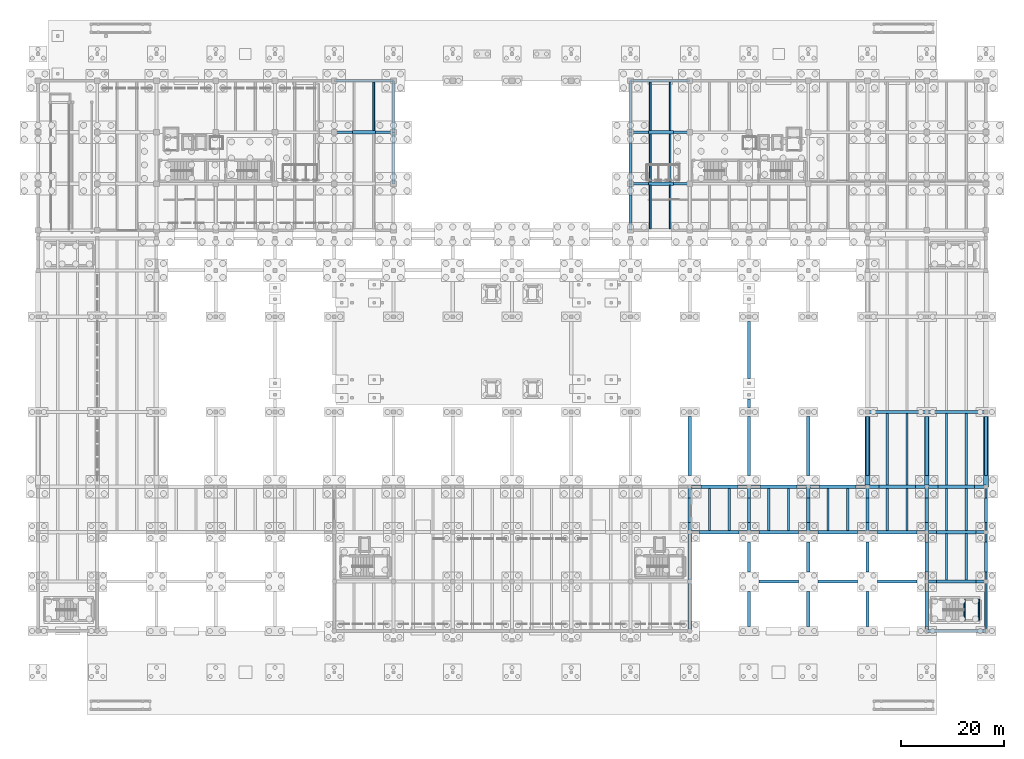
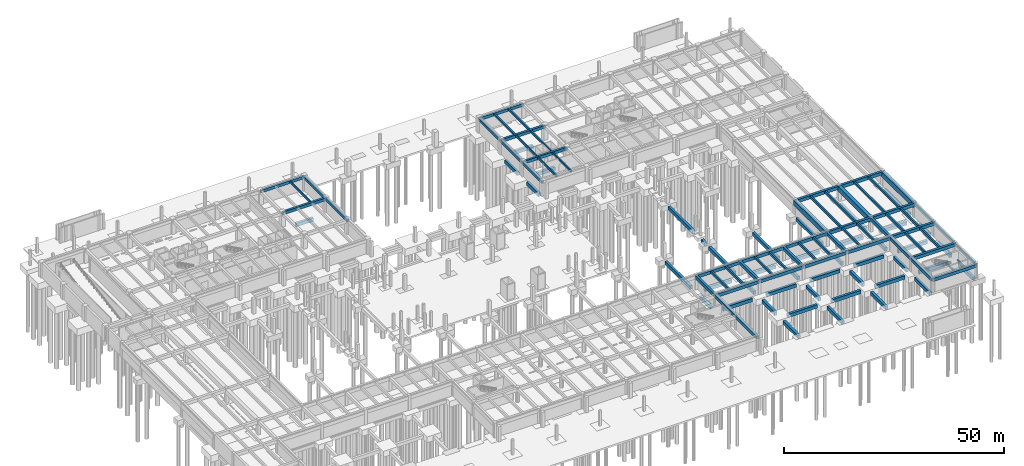
# One storey, part 14 of 28: 107 beams.
"""IFC4 building model written with IfcOpenShell, lengths in metres."""

from ifc_helpers import new_model, si_unit, direction, frame, origin, origin_2d, place, context, subcontext, project, spatial, rectangle, extrude, material, material_profile, profile_set, type_object, element, save


model = new_model("IFC4")

# Units and contexts
model_context = context("Model", 3, precision=1e-05, world=origin(), true_north=direction((0.0, 1.0)))
body_context = subcontext(model_context, "Body", "Model", "MODEL_VIEW")
ifc_project = project(units=[si_unit("LENGTHUNIT", "METRE"), si_unit("AREAUNIT", "SQUARE_METRE"), si_unit("VOLUMEUNIT", "CUBIC_METRE"), si_unit("PLANEANGLEUNIT", "RADIAN"), si_unit("MASSUNIT", "GRAM", prefix="KILO")], contexts=[model_context])

# Site, building, storey
site_placement = place(None, origin())
site = spatial("IfcSite", under=ifc_project, at=site_placement, CompositionType="ELEMENT")
building_placement = place(site_placement, origin())
building = spatial("IfcBuilding", under=site, at=building_placement, Name="Ologun Quay Terminus", CompositionType="ELEMENT")
storey_placement = place(building_placement, frame((0.0, 0.0, -8.39990234375)))
storey = spatial("IfcBuildingStorey", under=building, at=storey_placement, Name="B02", CompositionType="ELEMENT", Elevation=-8.39990234375)

# Beams
ifc_material_1 = material(Name="Concrete C40/50", Category="concrete")
ifc_material_profile_1 = material_profile(ifc_material_1, rectangle(XDim=0.300048828125, YDim=0.449951171875, at=origin_2d()), Name="RC 300x450")
ifc_profile_set_1 = profile_set([ifc_material_profile_1], Name="Concrete C40/50")
beam_type_1 = type_object("IfcBeamType", Name="Core Coupling Lintel Beam 300x450", PredefinedType="LINTEL", material=ifc_profile_set_1)
for number, where, z_axis, x_axis, name in (
    (1, (179.7900390625, 10.080078125, 1.69482421875), (0.0, 1.0, 0.0), (-1.0, 0.0, 0.0), "LN1 Half-Landing Ledger Beam ST-S2-W B02"),
    (2, (182.610107421875, 10.080078125, 1.69482421875), (0.0, 1.0, 0.0), (-1.0, 0.0, 0.0), "LN1 Half-Landing Ledger Beam ST-S2-E B02"),
):
    element("IfcBeam", number, at=place(storey_placement, frame(where, z_axis=z_axis, x_axis=x_axis)), inside=storey, type_object=beam_type_1, Name=name, PredefinedType="LINTEL", context=body_context, shape_type="SweptSolid", body=[
        extrude(rectangle(XDim=0.300048828125, YDim=0.449951171875, at=origin_2d()), origin(), (0.0, 0.0, 1.0), 4.0400390625),
    ])
ifc_material_2 = material(Name="Concrete C40/50", Category="concrete")
ifc_material_profile_2 = material_profile(ifc_material_2, rectangle(XDim=0.550048828125, YDim=0.800048828125, at=origin_2d()), Name="RC 550x800")
ifc_profile_set_2 = profile_set([ifc_material_profile_2], Name="Concrete C40/50")
beam_type_2 = type_object("IfcBeamType", Name="Courtyard Wing Primary Girder 550x800", PredefinedType="BEAM", material=ifc_profile_set_2)
for number, where, z_axis, x_axis, name in (
    (3, (115.0, 94.800048828125, 3.52001953125), (1.0, 0.0, 0.0), (0.0, 1.0, 0.0), "B4 Beam 11/H B02"),
    (4, (57.5, 104.800048828125, 3.52001953125), (1.0, 0.0, 0.0), (0.0, 1.0, 0.0), "B4 Beam 6/J B02"),
    (5, (115.0, 104.800048828125, 3.52001953125), (1.0, 0.0, 0.0), (0.0, 1.0, 0.0), "B4 Beam 11/J B02"),
    (6, (57.5, 114.800048828125, 3.52001953125), (1.0, 0.0, 0.0), (0.0, 1.0, 0.0), "B4 Beam 6/K B02"),
    (7, (115.0, 114.800048828125, 3.52001953125), (1.0, 0.0, 0.0), (0.0, 1.0, 0.0), "B4 Beam 11/K B02"),
):
    element("IfcBeam", number, at=place(storey_placement, frame(where, z_axis=z_axis, x_axis=x_axis)), inside=storey, type_object=beam_type_2, Name=name, PredefinedType="BEAM", context=body_context, shape_type="SweptSolid", body=[
        extrude(rectangle(XDim=0.550048828125, YDim=0.800048828125, at=origin_2d()), origin(), (0.0, 0.0, 1.0), 11.5),
    ])
for number, where, z_axis, x_axis, name in (
    (8, (69.0, 94.800048828125, 3.52001953125), (0.0, 1.0, 0.0), (-1.0, 0.0, 0.0), "B4 Beam 7/H B02"),
    (9, (69.0, 104.800048828125, 3.52001953125), (0.0, 1.0, 0.0), (-1.0, 0.0, 0.0), "B4 Beam 7/J B02"),
):
    element("IfcBeam", number, at=place(storey_placement, frame(where, z_axis=z_axis, x_axis=x_axis)), inside=storey, type_object=beam_type_2, Name=name, PredefinedType="BEAM", context=body_context, shape_type="SweptSolid", body=[
        extrude(rectangle(XDim=0.550048828125, YDim=0.800048828125, at=origin_2d()), origin(), (0.0, 0.0, 1.0), 10.0),
    ])
beam_1_placement = place(storey_placement, frame((115.0, 85.800048828125, 3.52001953125), z_axis=(0.0, 1.0, 0.0), x_axis=(-1.0, 0.0, 0.0)))
element("IfcBeam", 10, at=beam_1_placement, inside=storey, type_object=beam_type_2, Name="B4 Beam 11/G2 B02", PredefinedType="BEAM", context=body_context, shape_type="SweptSolid", body=[
    extrude(rectangle(XDim=0.550048828125, YDim=0.800048828125, at=origin_2d()), origin(), (0.0, 0.0, 1.0), 9.0),
])
for number, where, z_axis, x_axis, name in (
    (11, (115.0, 94.800048828125, 3.52001953125), (0.0, 1.0, 0.0), (-1.0, 0.0, 0.0), "B4 Beam 11/H B02"),
    (12, (115.0, 104.800048828125, 3.52001953125), (0.0, 1.0, 0.0), (-1.0, 0.0, 0.0), "B4 Beam 11/J B02"),
):
    element("IfcBeam", number, at=place(storey_placement, frame(where, z_axis=z_axis, x_axis=x_axis)), inside=storey, type_object=beam_type_2, Name=name, PredefinedType="BEAM", context=body_context, shape_type="SweptSolid", body=[
        extrude(rectangle(XDim=0.550048828125, YDim=0.800048828125, at=origin_2d()), origin(), (0.0, 0.0, 1.0), 10.0),
    ])
ifc_material_3 = material(Name="Concrete C40/50", Category="concrete")
ifc_material_profile_3 = material_profile(ifc_material_3, rectangle(XDim=0.35009765625, YDim=0.550048828125, at=origin_2d()), Name="RC 350x550")
ifc_profile_set_3 = profile_set([ifc_material_profile_3], Name="Concrete C40/50")
beam_type_3 = type_object("IfcBeamType", Name="Courtyard Wing Secondary Joist 350x550", PredefinedType="JOIST", material=ifc_profile_set_3)
beam_2_placement = place(storey_placement, frame((65.166748046875, 105.074951171875, 3.64501953125), z_axis=(0.0, 1.0, 0.0), x_axis=(-1.0, 0.0, 0.0)))
element("IfcBeam", 13, at=beam_2_placement, inside=storey, type_object=beam_type_3, Name="J2 Beam 6/J B02", PredefinedType="JOIST", context=body_context, shape_type="SweptSolid", body=[
    extrude(rectangle(XDim=0.35009765625, YDim=0.550048828125, at=origin_2d()), origin(), (0.0, 0.0, 1.0), 9.449951171875),
])
for number, where, z_axis, x_axis, name in (
    (14, (118.833251953125, 86.074951171875, 3.64501953125), (0.0, 1.0, 0.0), (-1.0, 0.0, 0.0), "J2 Beam 11/G2 B02"),
    (15, (122.666748046875, 86.074951171875, 3.64501953125), (0.0, 1.0, 0.0), (-1.0, 0.0, 0.0), "J2 Beam 11/G2 B02"),
):
    element("IfcBeam", number, at=place(storey_placement, frame(where, z_axis=z_axis, x_axis=x_axis)), inside=storey, type_object=beam_type_3, Name=name, PredefinedType="JOIST", context=body_context, shape_type="SweptSolid", body=[
        extrude(rectangle(XDim=0.35009765625, YDim=0.550048828125, at=origin_2d()), origin(), (0.0, 0.0, 1.0), 8.449951171875),
    ])
for number, where, z_axis, x_axis, name in (
    (16, (118.833251953125, 95.074951171875, 3.64501953125), (0.0, 1.0, 0.0), (-1.0, 0.0, 0.0), "J2 Beam 11/H B02"),
    (17, (122.666748046875, 95.074951171875, 3.64501953125), (0.0, 1.0, 0.0), (-1.0, 0.0, 0.0), "J2 Beam 11/H B02"),
    (18, (118.833251953125, 105.074951171875, 3.64501953125), (0.0, 1.0, 0.0), (-1.0, 0.0, 0.0), "J2 Beam 11/J B02"),
    (19, (122.666748046875, 105.074951171875, 3.64501953125), (0.0, 1.0, 0.0), (-1.0, 0.0, 0.0), "J2 Beam 11/J B02"),
):
    element("IfcBeam", number, at=place(storey_placement, frame(where, z_axis=z_axis, x_axis=x_axis)), inside=storey, type_object=beam_type_3, Name=name, PredefinedType="JOIST", context=body_context, shape_type="SweptSolid", body=[
        extrude(rectangle(XDim=0.35009765625, YDim=0.550048828125, at=origin_2d()), origin(), (0.0, 0.0, 1.0), 9.449951171875),
    ])
ifc_material_4 = material(Name="Concrete C35/45", Category="concrete")
ifc_material_profile_4 = material_profile(ifc_material_4, rectangle(XDim=0.64990234375, YDim=0.949951171875, at=origin_2d()), Name="RC 650x950")
ifc_profile_set_4 = profile_set([ifc_material_profile_4], Name="Concrete C35/45")
beam_type_4 = type_object("IfcBeamType", Name="Foundation Tie Beam 650x950", PredefinedType="BEAM", material=ifc_profile_set_4)
for number, where, z_axis, x_axis, name in (
    (20, (139.89990234375, 17.60009765625, -0.925048828125), (1.0, 0.0, 0.0), (0.0, 1.0, 0.0), "GB1 Beam 1/C B02"),
    (21, (151.39990234375, 17.60009765625, -0.925048828125), (1.0, 0.0, 0.0), (0.0, 1.0, 0.0), "GB1 Beam 1/C B02"),
    (22, (162.89990234375, 17.60009765625, -0.925048828125), (1.0, 0.0, 0.0), (0.0, 1.0, 0.0), "GB1 Beam 1/C B02"),
    (23, (174.39990234375, 17.60009765625, -0.925048828125), (1.0, 0.0, 0.0), (0.0, 1.0, 0.0), "GB1 Beam 1/C B02"),
    (24, (128.39990234375, 27.199951171875, -0.925048828125), (1.0, 0.0, 0.0), (0.0, 1.0, 0.0), "GB1 Beam 1/D B02"),
    (25, (139.89990234375, 27.199951171875, -0.925048828125), (1.0, 0.0, 0.0), (0.0, 1.0, 0.0), "GB1 Beam 1/D B02"),
    (26, (151.39990234375, 27.199951171875, -0.925048828125), (1.0, 0.0, 0.0), (0.0, 1.0, 0.0), "GB1 Beam 1/D B02"),
    (27, (162.89990234375, 27.199951171875, -0.925048828125), (1.0, 0.0, 0.0), (0.0, 1.0, 0.0), "GB1 Beam 1/D B02"),
    (28, (174.39990234375, 27.199951171875, -0.925048828125), (1.0, 0.0, 0.0), (0.0, 1.0, 0.0), "GB1 Beam 1/D B02"),
):
    element("IfcBeam", number, at=place(storey_placement, frame(where, z_axis=z_axis, x_axis=x_axis)), inside=storey, type_object=beam_type_4, Name=name, PredefinedType="BEAM", context=body_context, shape_type="SweptSolid", body=[
        extrude(rectangle(XDim=0.64990234375, YDim=0.949951171875, at=origin_2d()), origin(), (0.0, 0.0, 1.0), 7.7001953125),
    ])
for number, where, z_axis, x_axis, name in (
    (29, (128.699951171875, 36.0, -0.925048828125), (1.0, 0.0, 0.0), (0.0, 1.0, 0.0), "GB1 Beam 1/E B02"),
    (30, (140.199951171875, 36.0, -0.925048828125), (1.0, 0.0, 0.0), (0.0, 1.0, 0.0), "GB1 Beam 1/E B02"),
    (31, (151.699951171875, 36.0, -0.925048828125), (1.0, 0.0, 0.0), (0.0, 1.0, 0.0), "GB1 Beam 1/E B02"),
    (32, (163.199951171875, 36.0, -0.925048828125), (1.0, 0.0, 0.0), (0.0, 1.0, 0.0), "GB1 Beam 1/E B02"),
    (33, (174.699951171875, 36.0, -0.925048828125), (1.0, 0.0, 0.0), (0.0, 1.0, 0.0), "GB1 Beam 1/E B02"),
):
    element("IfcBeam", number, at=place(storey_placement, frame(where, z_axis=z_axis, x_axis=x_axis)), inside=storey, type_object=beam_type_4, Name=name, PredefinedType="BEAM", context=body_context, shape_type="SweptSolid", body=[
        extrude(rectangle(XDim=0.64990234375, YDim=0.949951171875, at=origin_2d()), origin(), (0.0, 0.0, 1.0), 7.10009765625),
    ])
beam_3_placement = place(storey_placement, frame((118.5, 94.800048828125, -0.925048828125), z_axis=(1.0, 0.0, 0.0), x_axis=(0.0, 1.0, 0.0)))
element("IfcBeam", 34, at=beam_3_placement, inside=storey, type_object=beam_type_4, Name="GB1 Beam 1/H B02", PredefinedType="BEAM", context=body_context, shape_type="SweptSolid", body=[
    extrude(rectangle(XDim=0.64990234375, YDim=0.949951171875, at=origin_2d()), origin(), (0.0, 0.0, 1.0), 4.800048828125),
])
beam_4_placement = place(storey_placement, frame((61.0, 104.800048828125, -0.925048828125), z_axis=(1.0, 0.0, 0.0), x_axis=(0.0, 1.0, 0.0)))
element("IfcBeam", 35, at=beam_4_placement, inside=storey, type_object=beam_type_4, Name="GB1 Beam 1/J B02", PredefinedType="BEAM", context=body_context, shape_type="SweptSolid", body=[
    extrude(rectangle(XDim=0.64990234375, YDim=0.949951171875, at=origin_2d()), origin(), (0.0, 0.0, 1.0), 4.5),
])
beam_5_placement = place(storey_placement, frame((118.5, 104.800048828125, -0.925048828125), z_axis=(1.0, 0.0, 0.0), x_axis=(0.0, 1.0, 0.0)))
element("IfcBeam", 36, at=beam_5_placement, inside=storey, type_object=beam_type_4, Name="GB1 Beam 1/J B02", PredefinedType="BEAM", context=body_context, shape_type="SweptSolid", body=[
    extrude(rectangle(XDim=0.64990234375, YDim=0.949951171875, at=origin_2d()), origin(), (0.0, 0.0, 1.0), 4.800048828125),
])
beam_6_placement = place(storey_placement, frame((115.0, 87.300048828125, -0.925048828125), z_axis=(0.0, 1.0, 0.0), x_axis=(-1.0, 0.0, 0.0)))
element("IfcBeam", 37, at=beam_6_placement, inside=storey, type_object=beam_type_4, Name="GB1 Beam 11/B B02", PredefinedType="BEAM", context=body_context, shape_type="SweptSolid", body=[
    extrude(rectangle(XDim=0.64990234375, YDim=0.949951171875, at=origin_2d()), origin(), (0.0, 0.0, 1.0), 5.300048828125),
])
beam_7_placement = place(storey_placement, frame((115.0, 97.0, -0.925048828125), z_axis=(0.0, 1.0, 0.0), x_axis=(-1.0, 0.0, 0.0)))
element("IfcBeam", 38, at=beam_7_placement, inside=storey, type_object=beam_type_4, Name="GB1 Beam 11/B B02", PredefinedType="BEAM", context=body_context, shape_type="SweptSolid", body=[
    extrude(rectangle(XDim=0.64990234375, YDim=0.949951171875, at=origin_2d()), origin(), (0.0, 0.0, 1.0), 5.60009765625),
])
beam_8_placement = place(storey_placement, frame((126.5, 29.10009765625, -0.925048828125), z_axis=(0.0, 1.0, 0.0), x_axis=(-1.0, 0.0, 0.0)))
element("IfcBeam", 39, at=beam_8_placement, inside=storey, type_object=beam_type_4, Name="GB1 Beam 12/B B02", PredefinedType="BEAM", context=body_context, shape_type="SweptSolid", body=[
    extrude(rectangle(XDim=0.64990234375, YDim=0.949951171875, at=origin_2d()), origin(), (0.0, 0.0, 1.0), 4.699951171875),
])
beam_9_placement = place(storey_placement, frame((126.5, 38.199951171875, -0.925048828125), z_axis=(0.0, 1.0, 0.0), x_axis=(-1.0, 0.0, 0.0)))
element("IfcBeam", 40, at=beam_9_placement, inside=storey, type_object=beam_type_4, Name="GB1 Beam 12/B B02", PredefinedType="BEAM", context=body_context, shape_type="SweptSolid", body=[
    extrude(rectangle(XDim=0.64990234375, YDim=0.949951171875, at=origin_2d()), origin(), (0.0, 0.0, 1.0), 11.400146484375),
])
beam_10_placement = place(storey_placement, frame((138.0, 8.89990234375, -0.925048828125), z_axis=(0.0, 1.0, 0.0), x_axis=(-1.0, 0.0, 0.0)))
element("IfcBeam", 41, at=beam_10_placement, inside=storey, type_object=beam_type_4, Name="GB1 Beam 13/B B02", PredefinedType="BEAM", context=body_context, shape_type="SweptSolid", body=[
    extrude(rectangle(XDim=0.64990234375, YDim=0.949951171875, at=origin_2d()), origin(), (0.0, 0.0, 1.0), 6.800048828125),
])
beam_11_placement = place(storey_placement, frame((138.0, 19.5, -0.925048828125), z_axis=(0.0, 1.0, 0.0), x_axis=(-1.0, 0.0, 0.0)))
element("IfcBeam", 42, at=beam_11_placement, inside=storey, type_object=beam_type_4, Name="GB1 Beam 13/B B02", PredefinedType="BEAM", context=body_context, shape_type="SweptSolid", body=[
    extrude(rectangle(XDim=0.64990234375, YDim=0.949951171875, at=origin_2d()), origin(), (0.0, 0.0, 1.0), 5.800048828125),
])
beam_12_placement = place(storey_placement, frame((138.0, 29.10009765625, -0.925048828125), z_axis=(0.0, 1.0, 0.0), x_axis=(-1.0, 0.0, 0.0)))
element("IfcBeam", 43, at=beam_12_placement, inside=storey, type_object=beam_type_4, Name="GB1 Beam 13/B B02", PredefinedType="BEAM", context=body_context, shape_type="SweptSolid", body=[
    extrude(rectangle(XDim=0.64990234375, YDim=0.949951171875, at=origin_2d()), origin(), (0.0, 0.0, 1.0), 4.699951171875),
])
beam_13_placement = place(storey_placement, frame((138.0, 38.199951171875, -0.925048828125), z_axis=(0.0, 1.0, 0.0), x_axis=(-1.0, 0.0, 0.0)))
element("IfcBeam", 44, at=beam_13_placement, inside=storey, type_object=beam_type_4, Name="GB1 Beam 13/B B02", PredefinedType="BEAM", context=body_context, shape_type="SweptSolid", body=[
    extrude(rectangle(XDim=0.64990234375, YDim=0.949951171875, at=origin_2d()), origin(), (0.0, 0.0, 1.0), 11.400146484375),
])
beam_14_placement = place(storey_placement, frame((138.0, 51.39990234375, -0.925048828125), z_axis=(0.0, 1.0, 0.0), x_axis=(-1.0, 0.0, 0.0)))
element("IfcBeam", 45, at=beam_14_placement, inside=storey, type_object=beam_type_4, Name="GB1 Beam 13/B B02", PredefinedType="BEAM", context=body_context, shape_type="SweptSolid", body=[
    extrude(rectangle(XDim=0.64990234375, YDim=0.949951171875, at=origin_2d()), origin(), (0.0, 0.0, 1.0), 1.60009765625),
])
beam_15_placement = place(storey_placement, frame((138.0, 57.0, -0.925048828125), z_axis=(0.0, 1.0, 0.0), x_axis=(-1.0, 0.0, 0.0)))
element("IfcBeam", 46, at=beam_15_placement, inside=storey, type_object=beam_type_4, Name="GB1 Beam 13/B B02", PredefinedType="BEAM", context=body_context, shape_type="SweptSolid", body=[
    extrude(rectangle(XDim=0.64990234375, YDim=0.949951171875, at=origin_2d()), origin(), (0.0, 0.0, 1.0), 11.10009765625),
])
beam_16_placement = place(storey_placement, frame((149.5, 8.89990234375, -0.925048828125), z_axis=(0.0, 1.0, 0.0), x_axis=(-1.0, 0.0, 0.0)))
element("IfcBeam", 47, at=beam_16_placement, inside=storey, type_object=beam_type_4, Name="GB1 Beam 14/B B02", PredefinedType="BEAM", context=body_context, shape_type="SweptSolid", body=[
    extrude(rectangle(XDim=0.64990234375, YDim=0.949951171875, at=origin_2d()), origin(), (0.0, 0.0, 1.0), 6.800048828125),
])
beam_17_placement = place(storey_placement, frame((149.5, 19.5, -0.925048828125), z_axis=(0.0, 1.0, 0.0), x_axis=(-1.0, 0.0, 0.0)))
element("IfcBeam", 48, at=beam_17_placement, inside=storey, type_object=beam_type_4, Name="GB1 Beam 14/B B02", PredefinedType="BEAM", context=body_context, shape_type="SweptSolid", body=[
    extrude(rectangle(XDim=0.64990234375, YDim=0.949951171875, at=origin_2d()), origin(), (0.0, 0.0, 1.0), 5.800048828125),
])
beam_18_placement = place(storey_placement, frame((149.5, 29.10009765625, -0.925048828125), z_axis=(0.0, 1.0, 0.0), x_axis=(-1.0, 0.0, 0.0)))
element("IfcBeam", 49, at=beam_18_placement, inside=storey, type_object=beam_type_4, Name="GB1 Beam 14/B B02", PredefinedType="BEAM", context=body_context, shape_type="SweptSolid", body=[
    extrude(rectangle(XDim=0.64990234375, YDim=0.949951171875, at=origin_2d()), origin(), (0.0, 0.0, 1.0), 4.699951171875),
])
beam_19_placement = place(storey_placement, frame((149.5, 38.199951171875, -0.925048828125), z_axis=(0.0, 1.0, 0.0), x_axis=(-1.0, 0.0, 0.0)))
element("IfcBeam", 50, at=beam_19_placement, inside=storey, type_object=beam_type_4, Name="GB1 Beam 14/B B02", PredefinedType="BEAM", context=body_context, shape_type="SweptSolid", body=[
    extrude(rectangle(XDim=0.64990234375, YDim=0.949951171875, at=origin_2d()), origin(), (0.0, 0.0, 1.0), 11.400146484375),
])
beam_20_placement = place(storey_placement, frame((161.0, 8.89990234375, -0.925048828125), z_axis=(0.0, 1.0, 0.0), x_axis=(-1.0, 0.0, 0.0)))
element("IfcBeam", 51, at=beam_20_placement, inside=storey, type_object=beam_type_4, Name="GB1 Beam 15/B B02", PredefinedType="BEAM", context=body_context, shape_type="SweptSolid", body=[
    extrude(rectangle(XDim=0.64990234375, YDim=0.949951171875, at=origin_2d()), origin(), (0.0, 0.0, 1.0), 6.800048828125),
])
beam_21_placement = place(storey_placement, frame((161.0, 19.5, -0.925048828125), z_axis=(0.0, 1.0, 0.0), x_axis=(-1.0, 0.0, 0.0)))
element("IfcBeam", 52, at=beam_21_placement, inside=storey, type_object=beam_type_4, Name="GB1 Beam 15/B B02", PredefinedType="BEAM", context=body_context, shape_type="SweptSolid", body=[
    extrude(rectangle(XDim=0.64990234375, YDim=0.949951171875, at=origin_2d()), origin(), (0.0, 0.0, 1.0), 5.800048828125),
])
beam_22_placement = place(storey_placement, frame((161.0, 29.10009765625, -0.925048828125), z_axis=(0.0, 1.0, 0.0), x_axis=(-1.0, 0.0, 0.0)))
element("IfcBeam", 53, at=beam_22_placement, inside=storey, type_object=beam_type_4, Name="GB1 Beam 15/B B02", PredefinedType="BEAM", context=body_context, shape_type="SweptSolid", body=[
    extrude(rectangle(XDim=0.64990234375, YDim=0.949951171875, at=origin_2d()), origin(), (0.0, 0.0, 1.0), 4.699951171875),
])
beam_23_placement = place(storey_placement, frame((161.0, 38.199951171875, -0.925048828125), z_axis=(0.0, 1.0, 0.0), x_axis=(-1.0, 0.0, 0.0)))
element("IfcBeam", 54, at=beam_23_placement, inside=storey, type_object=beam_type_4, Name="GB1 Beam 15/B B02", PredefinedType="BEAM", context=body_context, shape_type="SweptSolid", body=[
    extrude(rectangle(XDim=0.64990234375, YDim=0.949951171875, at=origin_2d()), origin(), (0.0, 0.0, 1.0), 11.400146484375),
])
beam_24_placement = place(storey_placement, frame((172.5, 8.89990234375, -0.925048828125), z_axis=(0.0, 1.0, 0.0), x_axis=(-1.0, 0.0, 0.0)))
element("IfcBeam", 55, at=beam_24_placement, inside=storey, type_object=beam_type_4, Name="GB1 Beam 16/B B02", PredefinedType="BEAM", context=body_context, shape_type="SweptSolid", body=[
    extrude(rectangle(XDim=0.64990234375, YDim=0.949951171875, at=origin_2d()), origin(), (0.0, 0.0, 1.0), 6.800048828125),
])
beam_25_placement = place(storey_placement, frame((172.5, 19.5, -0.925048828125), z_axis=(0.0, 1.0, 0.0), x_axis=(-1.0, 0.0, 0.0)))
element("IfcBeam", 56, at=beam_25_placement, inside=storey, type_object=beam_type_4, Name="GB1 Beam 16/B B02", PredefinedType="BEAM", context=body_context, shape_type="SweptSolid", body=[
    extrude(rectangle(XDim=0.64990234375, YDim=0.949951171875, at=origin_2d()), origin(), (0.0, 0.0, 1.0), 5.800048828125),
])
beam_26_placement = place(storey_placement, frame((172.5, 29.10009765625, -0.925048828125), z_axis=(0.0, 1.0, 0.0), x_axis=(-1.0, 0.0, 0.0)))
element("IfcBeam", 57, at=beam_26_placement, inside=storey, type_object=beam_type_4, Name="GB1 Beam 16/B B02", PredefinedType="BEAM", context=body_context, shape_type="SweptSolid", body=[
    extrude(rectangle(XDim=0.64990234375, YDim=0.949951171875, at=origin_2d()), origin(), (0.0, 0.0, 1.0), 4.699951171875),
])
beam_27_placement = place(storey_placement, frame((172.5, 38.199951171875, -0.925048828125), z_axis=(0.0, 1.0, 0.0), x_axis=(-1.0, 0.0, 0.0)))
element("IfcBeam", 58, at=beam_27_placement, inside=storey, type_object=beam_type_4, Name="GB1 Beam 16/B B02", PredefinedType="BEAM", context=body_context, shape_type="SweptSolid", body=[
    extrude(rectangle(XDim=0.64990234375, YDim=0.949951171875, at=origin_2d()), origin(), (0.0, 0.0, 1.0), 11.400146484375),
])
beam_28_placement = place(storey_placement, frame((184.0, 8.89990234375, -0.925048828125), z_axis=(0.0, 1.0, 0.0), x_axis=(-1.0, 0.0, 0.0)))
element("IfcBeam", 59, at=beam_28_placement, inside=storey, type_object=beam_type_4, Name="GB1 Beam 17/B B02", PredefinedType="BEAM", context=body_context, shape_type="SweptSolid", body=[
    extrude(rectangle(XDim=0.64990234375, YDim=0.949951171875, at=origin_2d()), origin(), (0.0, 0.0, 1.0), 6.800048828125),
])
beam_29_placement = place(storey_placement, frame((184.0, 19.5, -0.925048828125), z_axis=(0.0, 1.0, 0.0), x_axis=(-1.0, 0.0, 0.0)))
element("IfcBeam", 60, at=beam_29_placement, inside=storey, type_object=beam_type_4, Name="GB1 Beam 17/B B02", PredefinedType="BEAM", context=body_context, shape_type="SweptSolid", body=[
    extrude(rectangle(XDim=0.64990234375, YDim=0.949951171875, at=origin_2d()), origin(), (0.0, 0.0, 1.0), 5.800048828125),
])
beam_30_placement = place(storey_placement, frame((184.0, 29.10009765625, -0.925048828125), z_axis=(0.0, 1.0, 0.0), x_axis=(-1.0, 0.0, 0.0)))
element("IfcBeam", 61, at=beam_30_placement, inside=storey, type_object=beam_type_4, Name="GB1 Beam 17/B B02", PredefinedType="BEAM", context=body_context, shape_type="SweptSolid", body=[
    extrude(rectangle(XDim=0.64990234375, YDim=0.949951171875, at=origin_2d()), origin(), (0.0, 0.0, 1.0), 4.699951171875),
])
beam_31_placement = place(storey_placement, frame((184.0, 38.199951171875, -0.925048828125), z_axis=(0.0, 1.0, 0.0), x_axis=(-1.0, 0.0, 0.0)))
element("IfcBeam", 62, at=beam_31_placement, inside=storey, type_object=beam_type_4, Name="GB1 Beam 17/B B02", PredefinedType="BEAM", context=body_context, shape_type="SweptSolid", body=[
    extrude(rectangle(XDim=0.64990234375, YDim=0.949951171875, at=origin_2d()), origin(), (0.0, 0.0, 1.0), 11.400146484375),
])
ifc_material_5 = material(Name="Concrete C45/55", Category="concrete")
ifc_material_profile_5 = material_profile(ifc_material_5, rectangle(XDim=0.89990234375, YDim=1.39990234375, at=origin_2d()), Name="RC 900x1400")
ifc_profile_set_5 = profile_set([ifc_material_profile_5], Name="Concrete C45/55")
beam_type_5 = type_object("IfcBeamType", Name="Heavy Track Deck Girder 900x1400", PredefinedType="BEAM", material=ifc_profile_set_5)
for number, where, z_axis, x_axis, name in (
    (63, (161.0, 36.0, 3.219970703125), (0.0, 1.0, 0.0), (-1.0, 0.0, 0.0), "B1 Beam 15/E B02"),
    (64, (172.5, 36.0, 3.219970703125), (0.0, 1.0, 0.0), (-1.0, 0.0, 0.0), "B1 Beam 16/E B02"),
    (65, (184.0, 36.0, 3.219970703125), (0.0, 1.0, 0.0), (-1.0, 0.0, 0.0), "B1 Beam 17/E B02"),
):
    element("IfcBeam", number, at=place(storey_placement, frame(where, z_axis=z_axis, x_axis=x_axis)), inside=storey, type_object=beam_type_5, Name=name, PredefinedType="BEAM", context=body_context, shape_type="SweptSolid", body=[
        extrude(rectangle(XDim=0.89990234375, YDim=1.39990234375, at=origin_2d()), origin(), (0.0, 0.0, 1.0), 14.5),
    ])
ifc_material_6 = material(Name="Concrete C40/50", Category="concrete")
ifc_material_profile_6 = material_profile(ifc_material_6, rectangle(XDim=0.449951171875, YDim=0.699951171875, at=origin_2d()), Name="RC 450x700")
ifc_profile_set_6 = profile_set([ifc_material_profile_6], Name="Concrete C40/50")
beam_type_6 = type_object("IfcBeamType", Name="Perimeter Spandrel Beam 450x700", PredefinedType="SPANDREL", material=ifc_profile_set_6)
beam_32_placement = place(storey_placement, frame((184.0, 8.0, 3.56982421875), z_axis=(0.0, 1.0, 0.0), x_axis=(-1.0, 0.0, 0.0)))
element("IfcBeam", 66, at=beam_32_placement, inside=storey, type_object=beam_type_6, Name="SP1 Beam 17/B B02", PredefinedType="SPANDREL", context=body_context, shape_type="SweptSolid", body=[
    extrude(rectangle(XDim=0.449951171875, YDim=0.699951171875, at=origin_2d()), origin(), (0.0, 0.0, 1.0), 9.60009765625),
])
beam_33_placement = place(storey_placement, frame((184.0, 17.60009765625, 3.56982421875), z_axis=(0.0, 1.0, 0.0), x_axis=(-1.0, 0.0, 0.0)))
element("IfcBeam", 67, at=beam_33_placement, inside=storey, type_object=beam_type_6, Name="SP1 Beam 17/C B02", PredefinedType="SPANDREL", context=body_context, shape_type="SweptSolid", body=[
    extrude(rectangle(XDim=0.449951171875, YDim=0.699951171875, at=origin_2d()), origin(), (0.0, 0.0, 1.0), 9.599853515625),
])
beam_34_placement = place(storey_placement, frame((184.0, 27.199951171875, 3.56982421875), z_axis=(0.0, 1.0, 0.0), x_axis=(-1.0, 0.0, 0.0)))
element("IfcBeam", 68, at=beam_34_placement, inside=storey, type_object=beam_type_6, Name="SP1 Beam 17/D B02", PredefinedType="SPANDREL", context=body_context, shape_type="SweptSolid", body=[
    extrude(rectangle(XDim=0.449951171875, YDim=0.699951171875, at=origin_2d()), origin(), (0.0, 0.0, 1.0), 8.800048828125),
])
ifc_material_7 = material(Name="Concrete C40/50", Category="concrete")
ifc_material_profile_7 = material_profile(ifc_material_7, rectangle(XDim=0.60009765625, YDim=0.89990234375, at=origin_2d()), Name="RC 600x900")
ifc_profile_set_7 = profile_set([ifc_material_profile_7], Name="Concrete C40/50")
beam_type_7 = type_object("IfcBeamType", Name="Station Frame Girder 600x900", PredefinedType="BEAM", material=ifc_profile_set_7)
for number, where, z_axis, x_axis, name in (
    (69, (172.5, 8.0, 3.469970703125), (1.0, 0.0, 0.0), (0.0, 1.0, 0.0), "B3 Beam 16/B B02"),
    (70, (172.5, 17.60009765625, 3.469970703125), (1.0, 0.0, 0.0), (0.0, 1.0, 0.0), "B3 Beam 16/C B02"),
    (71, (126.5, 27.199951171875, 3.469970703125), (1.0, 0.0, 0.0), (0.0, 1.0, 0.0), "B3 Beam 12/D B02"),
    (72, (138.0, 27.199951171875, 3.469970703125), (1.0, 0.0, 0.0), (0.0, 1.0, 0.0), "B3 Beam 13/D B02"),
    (73, (149.5, 27.199951171875, 3.469970703125), (1.0, 0.0, 0.0), (0.0, 1.0, 0.0), "B3 Beam 14/D B02"),
    (74, (161.0, 27.199951171875, 3.469970703125), (1.0, 0.0, 0.0), (0.0, 1.0, 0.0), "B3 Beam 15/D B02"),
    (75, (172.5, 27.199951171875, 3.469970703125), (1.0, 0.0, 0.0), (0.0, 1.0, 0.0), "B3 Beam 16/D B02"),
    (76, (126.5, 36.0, 3.469970703125), (1.0, 0.0, 0.0), (0.0, 1.0, 0.0), "B3 Beam 12/E B02"),
    (77, (138.0, 36.0, 3.469970703125), (1.0, 0.0, 0.0), (0.0, 1.0, 0.0), "B3 Beam 13/E B02"),
    (78, (149.5, 36.0, 3.469970703125), (1.0, 0.0, 0.0), (0.0, 1.0, 0.0), "B3 Beam 14/E B02"),
    (79, (161.0, 36.0, 3.469970703125), (1.0, 0.0, 0.0), (0.0, 1.0, 0.0), "B3 Beam 15/E B02"),
    (80, (172.5, 36.0, 3.469970703125), (1.0, 0.0, 0.0), (0.0, 1.0, 0.0), "B3 Beam 16/E B02"),
    (81, (161.0, 50.5, 3.469970703125), (1.0, 0.0, 0.0), (0.0, 1.0, 0.0), "B3 Beam 15/E B02"),
    (82, (172.5, 50.5, 3.469970703125), (1.0, 0.0, 0.0), (0.0, 1.0, 0.0), "B3 Beam 16/E B02"),
):
    element("IfcBeam", number, at=place(storey_placement, frame(where, z_axis=z_axis, x_axis=x_axis)), inside=storey, type_object=beam_type_7, Name=name, PredefinedType="BEAM", context=body_context, shape_type="SweptSolid", body=[
        extrude(rectangle(XDim=0.60009765625, YDim=0.89990234375, at=origin_2d()), origin(), (0.0, 0.0, 1.0), 11.5),
    ])
beam_35_placement = place(storey_placement, frame((126.5, 8.0, 3.469970703125), z_axis=(0.0, 1.0, 0.0), x_axis=(-1.0, 0.0, 0.0)))
element("IfcBeam", 83, at=beam_35_placement, inside=storey, type_object=beam_type_7, Name="B3 Beam 12/B B02", PredefinedType="BEAM", context=body_context, shape_type="SweptSolid", body=[
    extrude(rectangle(XDim=0.60009765625, YDim=0.89990234375, at=origin_2d()), origin(), (0.0, 0.0, 1.0), 9.60009765625),
])
beam_36_placement = place(storey_placement, frame((126.5, 17.60009765625, 3.469970703125), z_axis=(0.0, 1.0, 0.0), x_axis=(-1.0, 0.0, 0.0)))
element("IfcBeam", 84, at=beam_36_placement, inside=storey, type_object=beam_type_7, Name="B3 Beam 12/C B02", PredefinedType="BEAM", context=body_context, shape_type="SweptSolid", body=[
    extrude(rectangle(XDim=0.60009765625, YDim=0.89990234375, at=origin_2d()), origin(), (0.0, 0.0, 1.0), 9.599853515625),
])
for number, where, z_axis, x_axis, name in (
    (85, (126.5, 27.199951171875, 3.469970703125), (0.0, 1.0, 0.0), (-1.0, 0.0, 0.0), "B3 Beam 12/D B02"),
    (86, (138.0, 27.199951171875, 3.469970703125), (0.0, 1.0, 0.0), (-1.0, 0.0, 0.0), "B3 Beam 13/D B02"),
    (87, (149.5, 27.199951171875, 3.469970703125), (0.0, 1.0, 0.0), (-1.0, 0.0, 0.0), "B3 Beam 14/D B02"),
    (88, (161.0, 27.199951171875, 3.469970703125), (0.0, 1.0, 0.0), (-1.0, 0.0, 0.0), "B3 Beam 15/D B02"),
):
    element("IfcBeam", number, at=place(storey_placement, frame(where, z_axis=z_axis, x_axis=x_axis)), inside=storey, type_object=beam_type_7, Name=name, PredefinedType="BEAM", context=body_context, shape_type="SweptSolid", body=[
        extrude(rectangle(XDim=0.60009765625, YDim=0.89990234375, at=origin_2d()), origin(), (0.0, 0.0, 1.0), 8.800048828125),
    ])
beam_37_placement = place(storey_placement, frame((172.5, 8.0, 3.469970703125), z_axis=(0.0, 1.0, 0.0), x_axis=(-1.0, 0.0, 0.0)))
element("IfcBeam", 89, at=beam_37_placement, inside=storey, type_object=beam_type_7, Name="B3 Beam 16/B B02", PredefinedType="BEAM", context=body_context, shape_type="SweptSolid", body=[
    extrude(rectangle(XDim=0.60009765625, YDim=0.89990234375, at=origin_2d()), origin(), (0.0, 0.0, 1.0), 9.60009765625),
])
beam_38_placement = place(storey_placement, frame((172.5, 17.60009765625, 3.469970703125), z_axis=(0.0, 1.0, 0.0), x_axis=(-1.0, 0.0, 0.0)))
element("IfcBeam", 90, at=beam_38_placement, inside=storey, type_object=beam_type_7, Name="B3 Beam 16/C B02", PredefinedType="BEAM", context=body_context, shape_type="SweptSolid", body=[
    extrude(rectangle(XDim=0.60009765625, YDim=0.89990234375, at=origin_2d()), origin(), (0.0, 0.0, 1.0), 9.599853515625),
])
beam_39_placement = place(storey_placement, frame((172.5, 27.199951171875, 3.469970703125), z_axis=(0.0, 1.0, 0.0), x_axis=(-1.0, 0.0, 0.0)))
element("IfcBeam", 91, at=beam_39_placement, inside=storey, type_object=beam_type_7, Name="B3 Beam 16/D B02", PredefinedType="BEAM", context=body_context, shape_type="SweptSolid", body=[
    extrude(rectangle(XDim=0.60009765625, YDim=0.89990234375, at=origin_2d()), origin(), (0.0, 0.0, 1.0), 8.800048828125),
])
ifc_material_8 = material(Name="Concrete C40/50", Category="concrete")
ifc_material_profile_8 = material_profile(ifc_material_8, rectangle(XDim=0.39990234375, YDim=0.64990234375, at=origin_2d()), Name="RC 400x650")
ifc_profile_set_8 = profile_set([ifc_material_profile_8], Name="Concrete C40/50")
beam_type_8 = type_object("IfcBeamType", Name="Station Secondary Joist 400x650", PredefinedType="JOIST", material=ifc_profile_set_8)
for number, where, z_axis, x_axis, name in (
    (92, (164.833251953125, 36.300048828125, 3.594970703125), (0.0, 1.0, 0.0), (-1.0, 0.0, 0.0), "J1 Beam 15/E B02"),
    (93, (168.666748046875, 36.300048828125, 3.594970703125), (0.0, 1.0, 0.0), (-1.0, 0.0, 0.0), "J1 Beam 15/E B02"),
    (94, (176.333251953125, 36.300048828125, 3.594970703125), (0.0, 1.0, 0.0), (-1.0, 0.0, 0.0), "J1 Beam 16/E B02"),
    (95, (180.166748046875, 36.300048828125, 3.594970703125), (0.0, 1.0, 0.0), (-1.0, 0.0, 0.0), "J1 Beam 16/E B02"),
):
    element("IfcBeam", number, at=place(storey_placement, frame(where, z_axis=z_axis, x_axis=x_axis)), inside=storey, type_object=beam_type_8, Name=name, PredefinedType="JOIST", context=body_context, shape_type="SweptSolid", body=[
        extrude(rectangle(XDim=0.39990234375, YDim=0.64990234375, at=origin_2d()), origin(), (0.0, 0.0, 1.0), 13.89990234375),
    ])
for number, where, z_axis, x_axis, name in (
    (96, (130.333251953125, 27.5, 3.594970703125), (0.0, 1.0, 0.0), (-1.0, 0.0, 0.0), "J1 Beam 12/D B02"),
    (97, (134.166748046875, 27.5, 3.594970703125), (0.0, 1.0, 0.0), (-1.0, 0.0, 0.0), "J1 Beam 12/D B02"),
    (98, (141.833251953125, 27.5, 3.594970703125), (0.0, 1.0, 0.0), (-1.0, 0.0, 0.0), "J1 Beam 13/D B02"),
    (99, (145.666748046875, 27.5, 3.594970703125), (0.0, 1.0, 0.0), (-1.0, 0.0, 0.0), "J1 Beam 13/D B02"),
    (100, (153.333251953125, 27.5, 3.594970703125), (0.0, 1.0, 0.0), (-1.0, 0.0, 0.0), "J1 Beam 14/D B02"),
    (101, (157.166748046875, 27.5, 3.594970703125), (0.0, 1.0, 0.0), (-1.0, 0.0, 0.0), "J1 Beam 14/D B02"),
    (102, (164.833251953125, 27.5, 3.594970703125), (0.0, 1.0, 0.0), (-1.0, 0.0, 0.0), "J1 Beam 15/D B02"),
    (103, (168.666748046875, 27.5, 3.594970703125), (0.0, 1.0, 0.0), (-1.0, 0.0, 0.0), "J1 Beam 15/D B02"),
):
    element("IfcBeam", number, at=place(storey_placement, frame(where, z_axis=z_axis, x_axis=x_axis)), inside=storey, type_object=beam_type_8, Name=name, PredefinedType="JOIST", context=body_context, shape_type="SweptSolid", body=[
        extrude(rectangle(XDim=0.39990234375, YDim=0.64990234375, at=origin_2d()), origin(), (0.0, 0.0, 1.0), 8.199951171875),
    ])
for number, where, z_axis, x_axis, name in (
    (104, (176.333251953125, 17.89990234375, 3.594970703125), (0.0, 1.0, 0.0), (-1.0, 0.0, 0.0), "J1 Beam 16/C B02"),
    (105, (180.166748046875, 17.89990234375, 3.594970703125), (0.0, 1.0, 0.0), (-1.0, 0.0, 0.0), "J1 Beam 16/C B02"),
):
    element("IfcBeam", number, at=place(storey_placement, frame(where, z_axis=z_axis, x_axis=x_axis)), inside=storey, type_object=beam_type_8, Name=name, PredefinedType="JOIST", context=body_context, shape_type="SweptSolid", body=[
        extrude(rectangle(XDim=0.39990234375, YDim=0.64990234375, at=origin_2d()), origin(), (0.0, 0.0, 1.0), 9.0),
    ])
for number, where, z_axis, x_axis, name in (
    (106, (176.333251953125, 27.5, 3.594970703125), (0.0, 1.0, 0.0), (-1.0, 0.0, 0.0), "J1 Beam 16/D B02"),
    (107, (180.166748046875, 27.5, 3.594970703125), (0.0, 1.0, 0.0), (-1.0, 0.0, 0.0), "J1 Beam 16/D B02"),
):
    element("IfcBeam", number, at=place(storey_placement, frame(where, z_axis=z_axis, x_axis=x_axis)), inside=storey, type_object=beam_type_8, Name=name, PredefinedType="JOIST", context=body_context, shape_type="SweptSolid", body=[
        extrude(rectangle(XDim=0.39990234375, YDim=0.64990234375, at=origin_2d()), origin(), (0.0, 0.0, 1.0), 8.199951171875),
    ])

save(model, "model.ifc")
